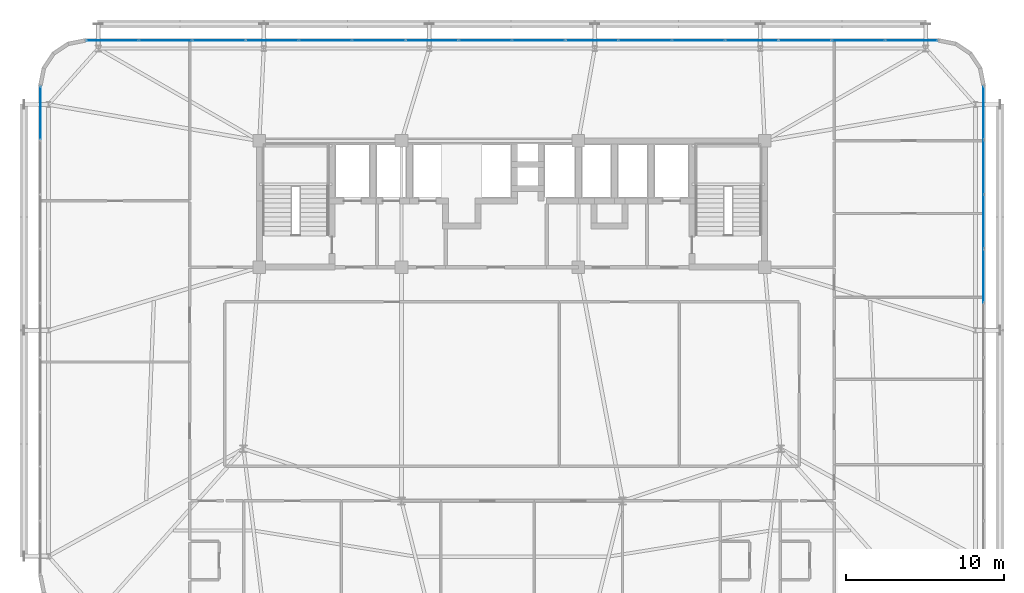
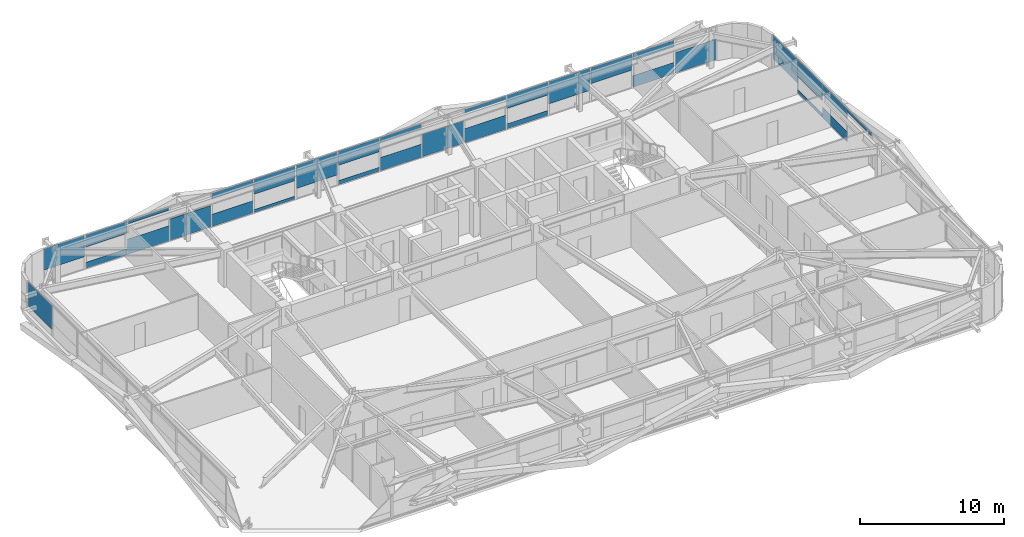
# One storey, part 43 of 58: 32 plates, 3 elements without a shape of their own.
"""IFC4 building model written with IfcOpenShell, lengths in metres."""

from ifc_helpers import new_model, si_unit, direction, frame, origin, origin_2d, place, context, subcontext, project, spatial, rectangle, extrude, source, transform, mapped, material, layer, layer_set, type_object, element, aggregate, save


model = new_model("IFC4")

# Units and contexts
model_context = context("Model", 3, precision=1e-05, world=origin(), true_north=direction((0.0, 1.0)))
body_context = subcontext(model_context, "Body", "Model", "MODEL_VIEW")
ifc_project = project(units=[si_unit("LENGTHUNIT", "METRE"), si_unit("AREAUNIT", "SQUARE_METRE"), si_unit("VOLUMEUNIT", "CUBIC_METRE"), si_unit("PLANEANGLEUNIT", "RADIAN"), si_unit("MASSUNIT", "GRAM", prefix="KILO")], contexts=[model_context])

# Site, building, storey
site_placement = place(None, origin())
site = spatial("IfcSite", under=ifc_project, at=site_placement, CompositionType="ELEMENT")
building_placement = place(site_placement, origin())
building = spatial("IfcBuilding", under=site, at=building_placement, Name="Taldren Reach Tower", CompositionType="ELEMENT")
storey_placement = place(building_placement, frame((0.0, 0.0, 54.60009765625)))
storey = spatial("IfcBuildingStorey", under=building, at=storey_placement, Name="L16", CompositionType="ELEMENT", Elevation=54.60009765625)

# Curtain wall, plates
ifc_material_1 = material(Name="Aluminium and Low-E Glass Unitised System", Category="aluminium")
ifc_layer_1 = layer(ifc_material_1, 0.159912109375)
ifc_layer_set_1 = layer_set([ifc_layer_1], Name="Aluminium and Low-E Glass Unitised System")
curtain_wall_type = type_object("IfcCurtainWallType", Name="CW-SYS-2", PredefinedType="NOTDEFINED", material=ifc_layer_set_1)
curtain_wall_1_placement = place(storey_placement, origin())
curtain_wall_1 = element("IfcCurtainWall", 1, at=curtain_wall_1_placement, inside=storey, type_object=curtain_wall_type, Name="Unitised curtain wall CW-L16-N", PredefinedType="NOTDEFINED")
ifc_material_2 = material(Name="Solar-Control Double Glazed IGU", Category="glass")
ifc_layer_2 = layer(ifc_material_2, 0.031982421875)
ifc_layer_set_2 = layer_set([ifc_layer_2], Name="Solar-Control Double Glazed IGU")
plate_type = type_object("IfcPlateType", Name="CW-PNL-IGU32", PredefinedType="CURTAIN_PANEL", material=ifc_layer_set_2)
shared_shape_1 = source(origin(), body_context, "Body", "SweptSolid", [
    extrude(rectangle(XDim=3.277587890625, YDim=0.031982421875, at=origin_2d()), origin(), (0.0, 0.0, 1.0), 1.73876953125),
])
plate_1_placement = place(storey_placement, frame((60.296142578125, 38.360107421875, 0.054931640625), z_axis=(0.0, 0.0, 1.0), x_axis=(-1.0, 0.0, 0.0)))
plate_1 = element("IfcPlate", 2, at=plate_1_placement, type_object=plate_type, Name="CW-2 panel 1.1 part 1", PredefinedType="CURTAIN_PANEL", context=body_context, shape_type="MappedRepresentation", body=[
    mapped(shared_shape_1, transform((0.0, 0.0, 0.0), scale=1.0)),
])
shared_shape_2 = source(origin(), body_context, "Body", "SweptSolid", [
    extrude(rectangle(XDim=3.31005859375, YDim=0.031982421875, at=origin_2d()), origin(), (0.0, 0.0, 1.0), 0.9560546875),
])
plate_2_placement = place(storey_placement, frame((56.9375, 38.360107421875, 0.054931640625), z_axis=(0.0, 0.0, 1.0), x_axis=(-1.0, 0.0, 0.0)))
plate_2 = element("IfcPlate", 3, at=plate_2_placement, type_object=plate_type, Name="CW-2 panel 2.1 part 1", PredefinedType="CURTAIN_PANEL", context=body_context, shape_type="MappedRepresentation", body=[
    mapped(shared_shape_2, transform((0.0, 0.0, 0.0), scale=1.0)),
])
shared_shape_3 = source(origin(), body_context, "Body", "SweptSolid", [
    extrude(rectangle(XDim=3.31005859375, YDim=0.031982421875, at=origin_2d()), origin(), (0.0, 0.0, 1.0), 0.562744140625),
])
plate_3_placement = place(storey_placement, frame((56.9375, 38.360107421875, 2.31201171875), z_axis=(0.0, 0.0, 1.0), x_axis=(-1.0, 0.0, 0.0)))
plate_3 = element("IfcPlate", 4, at=plate_3_placement, type_object=plate_type, Name="CW-2 panel 2.1 part 2", PredefinedType="CURTAIN_PANEL", context=body_context, shape_type="MappedRepresentation", body=[
    mapped(shared_shape_3, transform((0.0, 0.0, 0.0), scale=1.0)),
])
shared_shape_4 = source(origin(), body_context, "Body", "SweptSolid", [
    extrude(rectangle(XDim=3.31005859375, YDim=0.031982421875, at=origin_2d()), origin(), (0.0, 0.0, 1.0), 1.345458984375),
])
plate_4_placement = place(storey_placement, frame((53.5625, 38.360107421875, 1.529296875), z_axis=(0.0, 0.0, 1.0), x_axis=(-1.0, 0.0, 0.0)))
plate_4 = element("IfcPlate", 5, at=plate_4_placement, type_object=plate_type, Name="CW-2 panel 3.1 part 1", PredefinedType="CURTAIN_PANEL", context=body_context, shape_type="MappedRepresentation", body=[
    mapped(shared_shape_4, transform((0.0, 0.0, 0.0), scale=1.0)),
])
shared_shape_5 = source(origin(), body_context, "Body", "SweptSolid", [
    extrude(rectangle(XDim=3.31005859375, YDim=0.031982421875, at=origin_2d()), origin(), (0.0, 0.0, 1.0), 1.881103515625),
])
plate_5_placement = place(storey_placement, frame((50.1875, 38.360107421875, 0.99365234375), z_axis=(0.0, 0.0, 1.0), x_axis=(-1.0, 0.0, 0.0)))
plate_5 = element("IfcPlate", 6, at=plate_5_placement, type_object=plate_type, Name="CW-2 panel 4.1 part 1", PredefinedType="CURTAIN_PANEL", context=body_context, shape_type="MappedRepresentation", body=[
    mapped(shared_shape_5, transform((0.0, 0.0, 0.0), scale=1.0)),
])
shared_shape_6 = source(origin(), body_context, "Body", "SweptSolid", [
    extrude(rectangle(XDim=3.31005859375, YDim=0.031982421875, at=origin_2d()), origin(), (0.0, 0.0, 1.0), 0.42041015625),
])
plate_6_placement = place(storey_placement, frame((46.8125, 38.360107421875, 0.054931640625), z_axis=(0.0, 0.0, 1.0), x_axis=(-1.0, 0.0, 0.0)))
plate_6 = element("IfcPlate", 7, at=plate_6_placement, type_object=plate_type, Name="CW-2 panel 5.1 part 1", PredefinedType="CURTAIN_PANEL", context=body_context, shape_type="MappedRepresentation", body=[
    mapped(shared_shape_6, transform((0.0, 0.0, 0.0), scale=1.0)),
])
shared_shape_7 = source(origin(), body_context, "Body", "SweptSolid", [
    extrude(rectangle(XDim=3.31005859375, YDim=0.031982421875, at=origin_2d()), origin(), (0.0, 0.0, 1.0), 1.098388671875),
])
plate_7_placement = place(storey_placement, frame((46.8125, 38.360107421875, 1.7763671875), z_axis=(0.0, 0.0, 1.0), x_axis=(-1.0, 0.0, 0.0)))
plate_7 = element("IfcPlate", 8, at=plate_7_placement, type_object=plate_type, Name="CW-2 panel 5.1 part 2", PredefinedType="CURTAIN_PANEL", context=body_context, shape_type="MappedRepresentation", body=[
    mapped(shared_shape_7, transform((0.0, 0.0, 0.0), scale=1.0)),
])
shared_shape_8 = source(origin(), body_context, "Body", "SweptSolid", [
    extrude(rectangle(XDim=3.31005859375, YDim=0.031982421875, at=origin_2d()), origin(), (0.0, 0.0, 1.0), 1.203125),
])
plate_8_placement = place(storey_placement, frame((43.4375, 38.360107421875, 0.054931640625), z_axis=(0.0, 0.0, 1.0), x_axis=(-1.0, 0.0, 0.0)))
plate_8 = element("IfcPlate", 9, at=plate_8_placement, type_object=plate_type, Name="CW-2 panel 6.1 part 1", PredefinedType="CURTAIN_PANEL", context=body_context, shape_type="MappedRepresentation", body=[
    mapped(shared_shape_8, transform((0.0, 0.0, 0.0), scale=1.0)),
])
shared_shape_9 = source(origin(), body_context, "Body", "SweptSolid", [
    extrude(rectangle(XDim=3.31005859375, YDim=0.031982421875, at=origin_2d()), origin(), (0.0, 0.0, 1.0), 0.31591796875),
])
plate_9_placement = place(storey_placement, frame((43.4375, 38.360107421875, 2.55908203125), z_axis=(0.0, 0.0, 1.0), x_axis=(-1.0, 0.0, 0.0)))
plate_9 = element("IfcPlate", 10, at=plate_9_placement, type_object=plate_type, Name="CW-2 panel 6.1 part 2", PredefinedType="CURTAIN_PANEL", context=body_context, shape_type="MappedRepresentation", body=[
    mapped(shared_shape_9, transform((0.0, 0.0, 0.0), scale=1.0)),
])
shared_shape_10 = source(origin(), body_context, "Body", "SweptSolid", [
    extrude(rectangle(XDim=3.31005859375, YDim=0.031982421875, at=origin_2d()), origin(), (0.0, 0.0, 1.0), 1.9033203125),
])
plate_10_placement = place(storey_placement, frame((40.0625, 38.360107421875, 0.054931640625), z_axis=(0.0, 0.0, 1.0), x_axis=(-1.0, 0.0, 0.0)))
plate_10 = element("IfcPlate", 11, at=plate_10_placement, type_object=plate_type, Name="CW-2 panel 7.1 part 1", PredefinedType="CURTAIN_PANEL", context=body_context, shape_type="MappedRepresentation", body=[
    mapped(shared_shape_10, transform((0.0, 0.0, 0.0), scale=1.0)),
])
shared_shape_11 = source(origin(), body_context, "Body", "SweptSolid", [
    extrude(rectangle(XDim=3.31005859375, YDim=0.031982421875, at=origin_2d()), origin(), (0.0, 0.0, 1.0), 1.120849609375),
])
plate_11_placement = place(storey_placement, frame((36.6875, 38.360107421875, 0.0546875), z_axis=(0.0, 0.0, 1.0), x_axis=(-1.0, 0.0, 0.0)))
plate_11 = element("IfcPlate", 12, at=plate_11_placement, type_object=plate_type, Name="CW-2 panel 8.1 part 1", PredefinedType="CURTAIN_PANEL", context=body_context, shape_type="MappedRepresentation", body=[
    mapped(shared_shape_11, transform((0.0, 0.0, 0.0), scale=1.0)),
])
shared_shape_12 = source(origin(), body_context, "Body", "SweptSolid", [
    extrude(rectangle(XDim=3.31005859375, YDim=0.031982421875, at=origin_2d()), origin(), (0.0, 0.0, 1.0), 0.398193359375),
])
plate_12_placement = place(storey_placement, frame((36.6875, 38.360107421875, 2.4765625), z_axis=(0.0, 0.0, 1.0), x_axis=(-1.0, 0.0, 0.0)))
plate_12 = element("IfcPlate", 13, at=plate_12_placement, type_object=plate_type, Name="CW-2 panel 8.1 part 2", PredefinedType="CURTAIN_PANEL", context=body_context, shape_type="MappedRepresentation", body=[
    mapped(shared_shape_12, transform((0.0, 0.0, 0.0), scale=1.0)),
])
shared_shape_13 = source(origin(), body_context, "Body", "SweptSolid", [
    extrude(rectangle(XDim=3.31005859375, YDim=0.031982421875, at=origin_2d()), origin(), (0.0, 0.0, 1.0), 0.338134765625),
])
plate_13_placement = place(storey_placement, frame((33.3125, 38.360107421875, 0.05517578125), z_axis=(0.0, 0.0, 1.0), x_axis=(-1.0, 0.0, 0.0)))
plate_13 = element("IfcPlate", 14, at=plate_13_placement, type_object=plate_type, Name="CW-2 panel 9.1 part 1", PredefinedType="CURTAIN_PANEL", context=body_context, shape_type="MappedRepresentation", body=[
    mapped(shared_shape_13, transform((0.0, 0.0, 0.0), scale=1.0)),
])
shared_shape_14 = source(origin(), body_context, "Body", "SweptSolid", [
    extrude(rectangle(XDim=3.31005859375, YDim=0.031982421875, at=origin_2d()), origin(), (0.0, 0.0, 1.0), 1.1806640625),
])
plate_14_placement = place(storey_placement, frame((33.3125, 38.360107421875, 1.694091796875), z_axis=(0.0, 0.0, 1.0), x_axis=(-1.0, 0.0, 0.0)))
plate_14 = element("IfcPlate", 15, at=plate_14_placement, type_object=plate_type, Name="CW-2 panel 9.1 part 2", PredefinedType="CURTAIN_PANEL", context=body_context, shape_type="MappedRepresentation", body=[
    mapped(shared_shape_14, transform((0.0, 0.0, 0.0), scale=1.0)),
])
shared_shape_15 = source(origin(), body_context, "Body", "SweptSolid", [
    extrude(rectangle(XDim=3.31005859375, YDim=0.031982421875, at=origin_2d()), origin(), (0.0, 0.0, 1.0), 1.96337890625),
])
plate_15_placement = place(storey_placement, frame((29.9375, 38.360107421875, 0.91162109375), z_axis=(0.0, 0.0, 1.0), x_axis=(-1.0, 0.0, 0.0)))
plate_15 = element("IfcPlate", 16, at=plate_15_placement, type_object=plate_type, Name="CW-2 panel 10.1 part 1", PredefinedType="CURTAIN_PANEL", context=body_context, shape_type="MappedRepresentation", body=[
    mapped(shared_shape_15, transform((0.0, 0.0, 0.0), scale=1.0)),
])
shared_shape_16 = source(origin(), body_context, "Body", "SweptSolid", [
    extrude(rectangle(XDim=3.31005859375, YDim=0.031982421875, at=origin_2d()), origin(), (0.0, 0.0, 1.0), 0.255859375),
])
plate_16_placement = place(storey_placement, frame((26.5625, 38.360107421875, 0.054931640625), z_axis=(0.0, 0.0, 1.0), x_axis=(-1.0, 0.0, 0.0)))
plate_16 = element("IfcPlate", 17, at=plate_16_placement, type_object=plate_type, Name="CW-2 panel 11.1 part 1", PredefinedType="CURTAIN_PANEL", context=body_context, shape_type="MappedRepresentation", body=[
    mapped(shared_shape_16, transform((0.0, 0.0, 0.0), scale=1.0)),
])
shared_shape_17 = source(origin(), body_context, "Body", "SweptSolid", [
    extrude(rectangle(XDim=3.31005859375, YDim=0.031982421875, at=origin_2d()), origin(), (0.0, 0.0, 1.0), 1.26318359375),
])
plate_17_placement = place(storey_placement, frame((26.5625, 38.360107421875, 1.61181640625), z_axis=(0.0, 0.0, 1.0), x_axis=(-1.0, 0.0, 0.0)))
plate_17 = element("IfcPlate", 18, at=plate_17_placement, type_object=plate_type, Name="CW-2 panel 11.1 part 2", PredefinedType="CURTAIN_PANEL", context=body_context, shape_type="MappedRepresentation", body=[
    mapped(shared_shape_17, transform((0.0, 0.0, 0.0), scale=1.0)),
])
shared_shape_18 = source(origin(), body_context, "Body", "SweptSolid", [
    extrude(rectangle(XDim=3.31005859375, YDim=0.031982421875, at=origin_2d()), origin(), (0.0, 0.0, 1.0), 1.03857421875),
])
plate_18_placement = place(storey_placement, frame((23.1875, 38.360107421875, 0.054931640625), z_axis=(0.0, 0.0, 1.0), x_axis=(-1.0, 0.0, 0.0)))
plate_18 = element("IfcPlate", 19, at=plate_18_placement, type_object=plate_type, Name="CW-2 panel 12.1 part 1", PredefinedType="CURTAIN_PANEL", context=body_context, shape_type="MappedRepresentation", body=[
    mapped(shared_shape_18, transform((0.0, 0.0, 0.0), scale=1.0)),
])
shared_shape_19 = source(origin(), body_context, "Body", "SweptSolid", [
    extrude(rectangle(XDim=3.31005859375, YDim=0.031982421875, at=origin_2d()), origin(), (0.0, 0.0, 1.0), 0.48046875),
])
plate_19_placement = place(storey_placement, frame((23.1875, 38.360107421875, 2.394287109375), z_axis=(0.0, 0.0, 1.0), x_axis=(-1.0, 0.0, 0.0)))
plate_19 = element("IfcPlate", 20, at=plate_19_placement, type_object=plate_type, Name="CW-2 panel 12.1 part 2", PredefinedType="CURTAIN_PANEL", context=body_context, shape_type="MappedRepresentation", body=[
    mapped(shared_shape_19, transform((0.0, 0.0, 0.0), scale=1.0)),
])
shared_shape_20 = source(origin(), body_context, "Body", "SweptSolid", [
    extrude(rectangle(XDim=3.31005859375, YDim=0.031982421875, at=origin_2d()), origin(), (0.0, 0.0, 1.0), 1.821044921875),
])
plate_20_placement = place(storey_placement, frame((19.8125, 38.360107421875, 0.0546875), z_axis=(0.0, 0.0, 1.0), x_axis=(-1.0, 0.0, 0.0)))
plate_20 = element("IfcPlate", 21, at=plate_20_placement, type_object=plate_type, Name="CW-2 panel 13.1 part 1", PredefinedType="CURTAIN_PANEL", context=body_context, shape_type="MappedRepresentation", body=[
    mapped(shared_shape_20, transform((0.0, 0.0, 0.0), scale=1.0)),
])
shared_shape_21 = source(origin(), body_context, "Body", "SweptSolid", [
    extrude(rectangle(XDim=3.31005859375, YDim=0.031982421875, at=origin_2d()), origin(), (0.0, 0.0, 1.0), 1.285400390625),
])
plate_21_placement = place(storey_placement, frame((16.4375, 38.360107421875, 0.0546875), z_axis=(0.0, 0.0, 1.0), x_axis=(-1.0, 0.0, 0.0)))
plate_21 = element("IfcPlate", 22, at=plate_21_placement, type_object=plate_type, Name="CW-2 panel 14.1 part 1", PredefinedType="CURTAIN_PANEL", context=body_context, shape_type="MappedRepresentation", body=[
    mapped(shared_shape_21, transform((0.0, 0.0, 0.0), scale=1.0)),
])
shared_shape_22 = source(origin(), body_context, "Body", "SweptSolid", [
    extrude(rectangle(XDim=3.31005859375, YDim=0.031982421875, at=origin_2d()), origin(), (0.0, 0.0, 1.0), 0.233642578125),
])
plate_22_placement = place(storey_placement, frame((16.4375, 38.360107421875, 2.64111328125), z_axis=(0.0, 0.0, 1.0), x_axis=(-1.0, 0.0, 0.0)))
plate_22 = element("IfcPlate", 23, at=plate_22_placement, type_object=plate_type, Name="CW-2 panel 14.1 part 2", PredefinedType="CURTAIN_PANEL", context=body_context, shape_type="MappedRepresentation", body=[
    mapped(shared_shape_22, transform((0.0, 0.0, 0.0), scale=1.0)),
])
shared_shape_23 = source(origin(), body_context, "Body", "SweptSolid", [
    extrude(rectangle(XDim=3.31005859375, YDim=0.031982421875, at=origin_2d()), origin(), (0.0, 0.0, 1.0), 0.5029296875),
])
plate_23_placement = place(storey_placement, frame((13.0625, 38.360107421875, 0.054931640625), z_axis=(0.0, 0.0, 1.0), x_axis=(-1.0, 0.0, 0.0)))
plate_23 = element("IfcPlate", 24, at=plate_23_placement, type_object=plate_type, Name="CW-2 panel 15.1 part 1", PredefinedType="CURTAIN_PANEL", context=body_context, shape_type="MappedRepresentation", body=[
    mapped(shared_shape_23, transform((0.0, 0.0, 0.0), scale=1.0)),
])
shared_shape_24 = source(origin(), body_context, "Body", "SweptSolid", [
    extrude(rectangle(XDim=3.31005859375, YDim=0.031982421875, at=origin_2d()), origin(), (0.0, 0.0, 1.0), 1.01611328125),
])
plate_24_placement = place(storey_placement, frame((13.0625, 38.360107421875, 1.85888671875), z_axis=(0.0, 0.0, 1.0), x_axis=(-1.0, 0.0, 0.0)))
plate_24 = element("IfcPlate", 25, at=plate_24_placement, type_object=plate_type, Name="CW-2 panel 15.1 part 2", PredefinedType="CURTAIN_PANEL", context=body_context, shape_type="MappedRepresentation", body=[
    mapped(shared_shape_24, transform((0.0, 0.0, 0.0), scale=1.0)),
])
shared_shape_25 = source(origin(), body_context, "Body", "SweptSolid", [
    extrude(rectangle(XDim=3.277587890625, YDim=0.031982421875, at=origin_2d()), origin(), (0.0, 0.0, 1.0), 1.798583984375),
])
plate_25_placement = place(storey_placement, frame((9.703857421875, 38.360107421875, 1.076171875), z_axis=(0.0, 0.0, 1.0), x_axis=(-1.0, 0.0, 0.0)))
plate_25 = element("IfcPlate", 26, at=plate_25_placement, type_object=plate_type, Name="CW-2 panel 16.1 part 1", PredefinedType="CURTAIN_PANEL", context=body_context, shape_type="MappedRepresentation", body=[
    mapped(shared_shape_25, transform((0.0, 0.0, 0.0), scale=1.0)),
])
aggregate(curtain_wall_1, [plate_1, plate_2, plate_3, plate_4, plate_5, plate_6, plate_7, plate_8, plate_9, plate_10, plate_11, plate_12, plate_13, plate_14, plate_15, plate_16, plate_17, plate_18, plate_19, plate_20, plate_21, plate_22, plate_23, plate_24, plate_25])

# Curtain wall, plate
curtain_wall_2_placement = place(storey_placement, origin())
curtain_wall_2 = element("IfcCurtainWall", 27, at=curtain_wall_2_placement, inside=storey, type_object=curtain_wall_type, Name="Unitised curtain wall CW-L16-W", PredefinedType="NOTDEFINED")
shared_shape_26 = source(origin(), body_context, "Body", "SweptSolid", [
    extrude(rectangle(XDim=3.346923828125, YDim=0.031982421875, at=origin_2d()), origin(), (0.0, 0.0, 1.0), 2.015380859375),
])
plate_26_placement = place(storey_placement, frame((5.139892578125, 33.761474609375, 0.859375), z_axis=(0.0, 0.0, 1.0), x_axis=(0.0, -1.0, 0.0)))
plate_26 = element("IfcPlate", 28, at=plate_26_placement, type_object=plate_type, Name="CW-2 panel 1.1 part 1", PredefinedType="CURTAIN_PANEL", context=body_context, shape_type="MappedRepresentation", body=[
    mapped(shared_shape_26, transform((0.0, 0.0, 0.0), scale=1.0)),
])
aggregate(curtain_wall_2, [plate_26])

# Curtain wall, plates
curtain_wall_3_placement = place(storey_placement, origin())
curtain_wall_3 = element("IfcCurtainWall", 29, at=curtain_wall_3_placement, inside=storey, type_object=curtain_wall_type, Name="Unitised curtain wall CW-L16-E", PredefinedType="NOTDEFINED")
plate_27_placement = place(storey_placement, frame((64.860107421875, 33.761474609375, 0.859375), z_axis=(0.0, 0.0, 1.0), x_axis=(0.0, 1.0, 0.0)))
plate_27 = element("IfcPlate", 30, at=plate_27_placement, type_object=plate_type, Name="CW-2 panel 9.1 part 1", PredefinedType="CURTAIN_PANEL", context=body_context, shape_type="MappedRepresentation", body=[
    mapped(shared_shape_26, transform((0.0, 0.0, 0.0), scale=1.0)),
])
shared_shape_27 = source(origin(), body_context, "Body", "SweptSolid", [
    extrude(rectangle(XDim=3.37939453125, YDim=0.031982421875, at=origin_2d()), origin(), (0.0, 0.0, 1.0), 0.288330078125),
])
plate_28_placement = place(storey_placement, frame((64.860107421875, 30.333251953125, 0.0546875), z_axis=(0.0, 0.0, 1.0), x_axis=(0.0, 1.0, 0.0)))
plate_28 = element("IfcPlate", 31, at=plate_28_placement, type_object=plate_type, Name="CW-2 panel 8.1 part 1", PredefinedType="CURTAIN_PANEL", context=body_context, shape_type="MappedRepresentation", body=[
    mapped(shared_shape_27, transform((0.0, 0.0, 0.0), scale=1.0)),
])
shared_shape_28 = source(origin(), body_context, "Body", "SweptSolid", [
    extrude(rectangle(XDim=3.37939453125, YDim=0.031982421875, at=origin_2d()), origin(), (0.0, 0.0, 1.0), 1.43017578125),
])
plate_29_placement = place(storey_placement, frame((64.860107421875, 30.333251953125, 1.44482421875), z_axis=(0.0, 0.0, 1.0), x_axis=(0.0, 1.0, 0.0)))
plate_29 = element("IfcPlate", 32, at=plate_29_placement, type_object=plate_type, Name="CW-2 panel 8.1 part 2", PredefinedType="CURTAIN_PANEL", context=body_context, shape_type="MappedRepresentation", body=[
    mapped(shared_shape_28, transform((0.0, 0.0, 0.0), scale=1.0)),
])
shared_shape_29 = source(origin(), body_context, "Body", "SweptSolid", [
    extrude(rectangle(XDim=3.37939453125, YDim=0.031982421875, at=origin_2d()), origin(), (0.0, 0.0, 1.0), 0.87353515625),
])
plate_30_placement = place(storey_placement, frame((64.860107421875, 26.888916015625, 0.054931640625), z_axis=(0.0, 0.0, 1.0), x_axis=(0.0, 1.0, 0.0)))
plate_30 = element("IfcPlate", 33, at=plate_30_placement, type_object=plate_type, Name="CW-2 panel 7.1 part 1", PredefinedType="CURTAIN_PANEL", context=body_context, shape_type="MappedRepresentation", body=[
    mapped(shared_shape_29, transform((0.0, 0.0, 0.0), scale=1.0)),
])
shared_shape_30 = source(origin(), body_context, "Body", "SweptSolid", [
    extrude(rectangle(XDim=3.37939453125, YDim=0.031982421875, at=origin_2d()), origin(), (0.0, 0.0, 1.0), 0.8447265625),
])
plate_31_placement = place(storey_placement, frame((64.860107421875, 26.888916015625, 2.030029296875), z_axis=(0.0, 0.0, 1.0), x_axis=(0.0, 1.0, 0.0)))
plate_31 = element("IfcPlate", 34, at=plate_31_placement, type_object=plate_type, Name="CW-2 panel 7.1 part 2", PredefinedType="CURTAIN_PANEL", context=body_context, shape_type="MappedRepresentation", body=[
    mapped(shared_shape_30, transform((0.0, 0.0, 0.0), scale=1.0)),
])
shared_shape_31 = source(origin(), body_context, "Body", "SweptSolid", [
    extrude(rectangle(XDim=3.37939453125, YDim=0.031982421875, at=origin_2d()), origin(), (0.0, 0.0, 1.0), 0.259521484375),
])
plate_32_placement = place(storey_placement, frame((64.860107421875, 23.4443359375, 2.615234375), z_axis=(0.0, 0.0, 1.0), x_axis=(0.0, 1.0, 0.0)))
plate_32 = element("IfcPlate", 35, at=plate_32_placement, type_object=plate_type, Name="CW-2 panel 6.1 part 2", PredefinedType="CURTAIN_PANEL", context=body_context, shape_type="MappedRepresentation", body=[
    mapped(shared_shape_31, transform((0.0, 0.0, 0.0), scale=1.0)),
])
aggregate(curtain_wall_3, [plate_32, plate_30, plate_31, plate_28, plate_29, plate_27])

save(model, "model.ifc")
